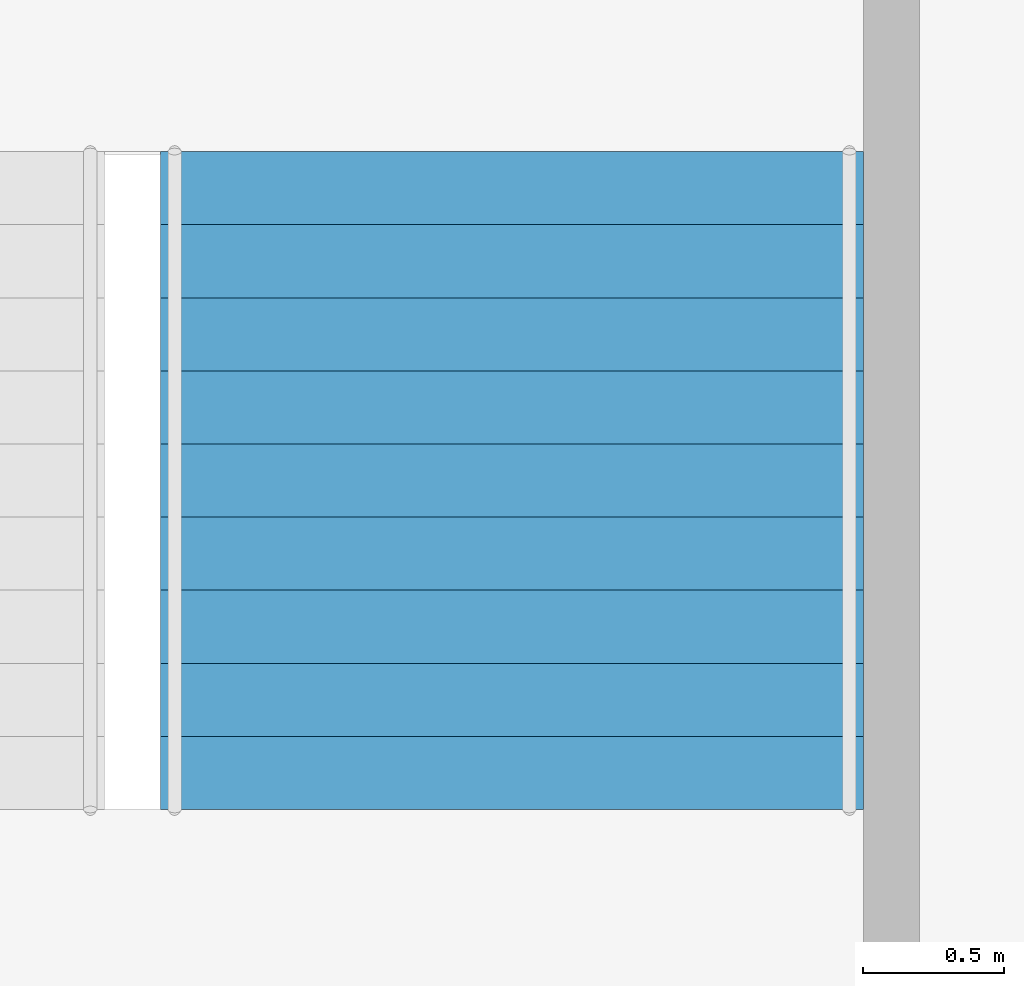
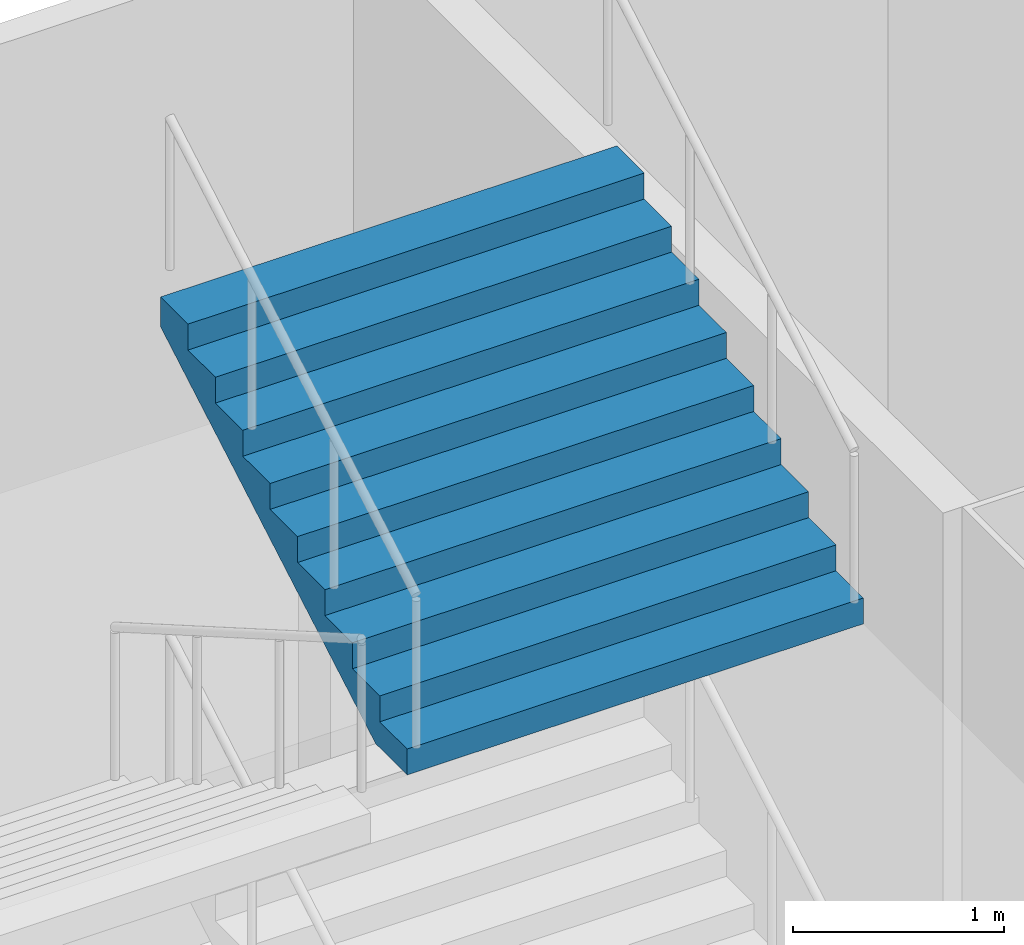
# One storey, part 73 of 100: 1 stair flight, 1 element without a shape of its own.
"""IFC4 building model written with IfcOpenShell, lengths in metres."""

from ifc_helpers import new_model, si_unit, direction, frame, origin, place, context, subcontext, project, spatial, triangles, material, type_object, element, aggregate, save


model = new_model("IFC4")

# Units and contexts
model_context = context("Model", 3, precision=1e-05, world=origin(), true_north=direction((0.0, 1.0)))
body_context = subcontext(model_context, "Body", "Model", "MODEL_VIEW")
ifc_project = project(units=[si_unit("LENGTHUNIT", "METRE"), si_unit("AREAUNIT", "SQUARE_METRE"), si_unit("VOLUMEUNIT", "CUBIC_METRE"), si_unit("PLANEANGLEUNIT", "RADIAN"), si_unit("MASSUNIT", "GRAM", prefix="KILO")], contexts=[model_context])

# Site, building, storey
site_placement = place(None, origin())
site = spatial("IfcSite", under=ifc_project, at=site_placement, CompositionType="ELEMENT")
building_placement = place(site_placement, origin())
building = spatial("IfcBuilding", under=site, at=building_placement, Name="Hakoniwa Tower and Hamabe Station Hall", CompositionType="ELEMENT")
storey_placement = place(building_placement, frame((0.0, 0.0, 9.0)))
storey = spatial("IfcBuildingStorey", under=building, at=storey_placement, Name="L02", CompositionType="ELEMENT", Elevation=9.0)

# Stair, stair flight
ifc_material_1 = material(Name="Concrete C40", Category="concrete")
stair_type = type_object("IfcStairType", Name="STAIR 2500 10X150", PredefinedType="HALF_TURN_STAIR", material=ifc_material_1)
stair_placement = place(storey_placement, origin())
stair = element("IfcStair", 1, at=stair_placement, inside=storey, type_object=stair_type, Name="Escape stair PS2", PredefinedType="HALF_TURN_STAIR")
ifc_material_2 = material(Name="Concrete C40", Category="concrete")
stair_flight_type = type_object("IfcStairFlightType", Name="STAIR FLIGHT 2500", PredefinedType="STRAIGHT", material=ifc_material_2)
stair_flight_placement = place(storey_placement, frame((47.800048828125, 20.010009765625, 4.5), z_axis=(0.0, 0.0, 1.0), x_axis=(0.0, 1.0, 0.0)))
stair_flight = element("IfcStairFlight", 2, at=stair_flight_placement, type_object=stair_flight_type, Name="PS2 flight 4", NumberOfRisers=10, NumberOfTreads=9, PredefinedType="STRAIGHT", RiserHeight=0.15, TreadLength=0.26, context=body_context, shape_type="Tessellation", body=[
    triangles([(0.0, 1.25, 0.0), (0.260009765625, 1.25, 0.0), (0.300048828125, 1.25, 0.0), (0.52001953125, 1.25, 0.126953125), (0.780029296875, 1.25, 0.27685546875), (1.0400390625, 1.25, 0.427001953125), (1.300048828125, 1.25, 0.576904296875), (1.56005859375, 1.25, 0.72705078125), (1.820068359375, 1.25, 0.876953125), (2.080078125, 1.25, 1.02685546875), (2.340087890625, 1.25, 1.177001953125), (2.340087890625, 1.25, 1.35009765625), (2.080078125, 1.25, 1.35009765625), (2.080078125, 1.25, 1.199951171875), (1.820068359375, 1.25, 1.199951171875), (1.820068359375, 1.25, 1.050048828125), (1.56005859375, 1.25, 1.050048828125), (1.56005859375, 1.25, 0.89990234375), (1.300048828125, 1.25, 0.89990234375), (1.300048828125, 1.25, 0.75), (1.0400390625, 1.25, 0.75), (1.0400390625, 1.25, 0.60009765625), (0.780029296875, 1.25, 0.60009765625), (0.780029296875, 1.25, 0.449951171875), (0.52001953125, 1.25, 0.449951171875), (0.52001953125, 1.25, 0.300048828125), (0.300048828125, 1.25, 0.300048828125), (0.260009765625, 1.25, 0.300048828125), (0.260009765625, 1.25, 0.14990234375), (0.0, 1.25, 0.14990234375), (0.0, 0.06005859375, 0.0), (0.260009765625, 0.06005859375, 0.0), (0.300048828125, 0.06005859375, 0.0), (0.52001953125, 0.06005859375, 0.126953125), (0.780029296875, 0.06005859375, 0.27685546875), (1.0400390625, 0.06005859375, 0.427001953125), (1.300048828125, 0.06005859375, 0.576904296875), (1.56005859375, 0.06005859375, 0.72705078125), (1.820068359375, 0.06005859375, 0.876953125), (2.080078125, 0.06005859375, 1.02685546875), (2.340087890625, 0.06005859375, 1.177001953125), (2.340087890625, 0.06005859375, 1.35009765625), (2.080078125, 0.06005859375, 1.35009765625), (2.080078125, 0.06005859375, 1.199951171875), (1.820068359375, 0.06005859375, 1.199951171875), (1.820068359375, 0.06005859375, 1.050048828125), (1.56005859375, 0.06005859375, 1.050048828125), (1.56005859375, 0.06005859375, 0.89990234375), (1.300048828125, 0.06005859375, 0.89990234375), (1.300048828125, 0.06005859375, 0.75), (1.0400390625, 0.06005859375, 0.75), (1.0400390625, 0.06005859375, 0.60009765625), (0.780029296875, 0.06005859375, 0.60009765625), (0.780029296875, 0.06005859375, 0.449951171875), (0.52001953125, 0.06005859375, 0.449951171875), (0.52001953125, 0.06005859375, 0.300048828125), (0.300048828125, 0.06005859375, 0.300048828125), (0.260009765625, 0.06005859375, 0.300048828125), (0.260009765625, 0.06005859375, 0.14990234375), (0.0, 0.06005859375, 0.14990234375), (0.0, 0.049072265625, 0.0), (0.260009765625, 0.049072265625, 0.0), (0.300048828125, 0.049072265625, 0.0), (0.52001953125, 0.049072265625, 0.126953125), (0.780029296875, 0.049072265625, 0.27685546875), (1.0400390625, 0.049072265625, 0.427001953125), (1.300048828125, 0.049072265625, 0.576904296875), (1.56005859375, 0.049072265625, 0.72705078125), (1.820068359375, 0.049072265625, 0.876953125), (2.080078125, 0.049072265625, 1.02685546875), (2.340087890625, 0.049072265625, 1.177001953125), (2.340087890625, 0.049072265625, 1.35009765625), (2.080078125, 0.049072265625, 1.35009765625), (2.080078125, 0.049072265625, 1.199951171875), (1.820068359375, 0.049072265625, 1.199951171875), (1.820068359375, 0.049072265625, 1.050048828125), (1.56005859375, 0.049072265625, 1.050048828125), (1.56005859375, 0.049072265625, 0.89990234375), (1.300048828125, 0.049072265625, 0.89990234375), (1.300048828125, 0.049072265625, 0.75), (1.0400390625, 0.049072265625, 0.75), (1.0400390625, 0.049072265625, 0.60009765625), (0.780029296875, 0.049072265625, 0.60009765625), (0.780029296875, 0.049072265625, 0.449951171875), (0.52001953125, 0.049072265625, 0.449951171875), (0.52001953125, 0.049072265625, 0.300048828125), (0.300048828125, 0.049072265625, 0.300048828125), (0.260009765625, 0.049072265625, 0.300048828125), (0.260009765625, 0.049072265625, 0.14990234375), (0.0, 0.049072265625, 0.14990234375), (0.0, 0.0380859375, 0.0), (0.260009765625, 0.0380859375, 0.0), (0.300048828125, 0.0380859375, 0.0), (0.52001953125, 0.0380859375, 0.126953125), (0.780029296875, 0.0380859375, 0.27685546875), (1.0400390625, 0.0380859375, 0.427001953125), (1.300048828125, 0.0380859375, 0.576904296875), (1.56005859375, 0.0380859375, 0.72705078125), (1.820068359375, 0.0380859375, 0.876953125), (2.080078125, 0.0380859375, 1.02685546875), (2.340087890625, 0.0380859375, 1.177001953125), (2.340087890625, 0.0380859375, 1.35009765625), (2.080078125, 0.0380859375, 1.35009765625), (2.080078125, 0.0380859375, 1.199951171875), (1.820068359375, 0.0380859375, 1.199951171875), (1.820068359375, 0.0380859375, 1.050048828125), (1.56005859375, 0.0380859375, 1.050048828125), (1.56005859375, 0.0380859375, 0.89990234375), (1.300048828125, 0.0380859375, 0.89990234375), (1.300048828125, 0.0380859375, 0.75), (1.0400390625, 0.0380859375, 0.75), (1.0400390625, 0.0380859375, 0.60009765625), (0.780029296875, 0.0380859375, 0.60009765625), (0.780029296875, 0.0380859375, 0.449951171875), (0.52001953125, 0.0380859375, 0.449951171875), (0.52001953125, 0.0380859375, 0.300048828125), (0.300048828125, 0.0380859375, 0.300048828125), (0.260009765625, 0.0380859375, 0.300048828125), (0.260009765625, 0.0380859375, 0.14990234375), (0.0, 0.0380859375, 0.14990234375), (0.0, 0.02734375, 0.0), (0.260009765625, 0.02734375, 0.0), (0.300048828125, 0.02734375, 0.0), (0.52001953125, 0.02734375, 0.126953125), (0.780029296875, 0.02734375, 0.27685546875), (1.0400390625, 0.02734375, 0.427001953125), (1.300048828125, 0.02734375, 0.576904296875), (1.56005859375, 0.02734375, 0.72705078125), (1.820068359375, 0.02734375, 0.876953125), (2.080078125, 0.02734375, 1.02685546875), (2.340087890625, 0.02734375, 1.177001953125), (2.340087890625, 0.02734375, 1.35009765625), (2.080078125, 0.02734375, 1.35009765625), (2.080078125, 0.02734375, 1.199951171875), (1.820068359375, 0.02734375, 1.199951171875), (1.820068359375, 0.02734375, 1.050048828125), (1.56005859375, 0.02734375, 1.050048828125), (1.56005859375, 0.02734375, 0.89990234375), (1.300048828125, 0.02734375, 0.89990234375), (1.300048828125, 0.02734375, 0.75), (1.0400390625, 0.02734375, 0.75), (1.0400390625, 0.02734375, 0.60009765625), (0.780029296875, 0.02734375, 0.60009765625), (0.780029296875, 0.02734375, 0.449951171875), (0.52001953125, 0.02734375, 0.449951171875), (0.52001953125, 0.02734375, 0.300048828125), (0.300048828125, 0.02734375, 0.300048828125), (0.260009765625, 0.02734375, 0.300048828125), (0.260009765625, 0.02734375, 0.14990234375), (0.0, 0.02734375, 0.14990234375), (0.0, 0.016357421875, 0.0), (0.260009765625, 0.016357421875, 0.0), (0.300048828125, 0.016357421875, 0.0), (0.52001953125, 0.016357421875, 0.126953125), (0.780029296875, 0.016357421875, 0.27685546875), (1.0400390625, 0.016357421875, 0.427001953125), (1.300048828125, 0.016357421875, 0.576904296875), (1.56005859375, 0.016357421875, 0.72705078125), (1.820068359375, 0.016357421875, 0.876953125), (2.080078125, 0.016357421875, 1.02685546875), (2.340087890625, 0.016357421875, 1.177001953125), (2.340087890625, 0.016357421875, 1.35009765625), (2.080078125, 0.016357421875, 1.35009765625), (2.080078125, 0.016357421875, 1.199951171875), (1.820068359375, 0.016357421875, 1.199951171875), (1.820068359375, 0.016357421875, 1.050048828125), (1.56005859375, 0.016357421875, 1.050048828125), (1.56005859375, 0.016357421875, 0.89990234375), (1.300048828125, 0.016357421875, 0.89990234375), (1.300048828125, 0.016357421875, 0.75), (1.0400390625, 0.016357421875, 0.75), (1.0400390625, 0.016357421875, 0.60009765625), (0.780029296875, 0.016357421875, 0.60009765625), (0.780029296875, 0.016357421875, 0.449951171875), (0.52001953125, 0.016357421875, 0.449951171875), (0.52001953125, 0.016357421875, 0.300048828125), (0.300048828125, 0.016357421875, 0.300048828125), (0.260009765625, 0.016357421875, 0.300048828125), (0.260009765625, 0.016357421875, 0.14990234375), (0.0, 0.016357421875, 0.14990234375), (0.0, 0.00537109375, 0.0), (0.260009765625, 0.00537109375, 0.0), (0.300048828125, 0.00537109375, 0.0), (0.52001953125, 0.00537109375, 0.126953125), (0.780029296875, 0.00537109375, 0.27685546875), (1.0400390625, 0.00537109375, 0.427001953125), (1.300048828125, 0.00537109375, 0.576904296875), (1.56005859375, 0.00537109375, 0.72705078125), (1.820068359375, 0.00537109375, 0.876953125), (2.080078125, 0.00537109375, 1.02685546875), (2.340087890625, 0.00537109375, 1.177001953125), (2.340087890625, 0.00537109375, 1.35009765625), (2.080078125, 0.00537109375, 1.35009765625), (2.080078125, 0.00537109375, 1.199951171875), (1.820068359375, 0.00537109375, 1.199951171875), (1.820068359375, 0.00537109375, 1.050048828125), (1.56005859375, 0.00537109375, 1.050048828125), (1.56005859375, 0.00537109375, 0.89990234375), (1.300048828125, 0.00537109375, 0.89990234375), (1.300048828125, 0.00537109375, 0.75), (1.0400390625, 0.00537109375, 0.75), (1.0400390625, 0.00537109375, 0.60009765625), (0.780029296875, 0.00537109375, 0.60009765625), (0.780029296875, 0.00537109375, 0.449951171875), (0.52001953125, 0.00537109375, 0.449951171875), (0.52001953125, 0.00537109375, 0.300048828125), (0.300048828125, 0.00537109375, 0.300048828125), (0.260009765625, 0.00537109375, 0.300048828125), (0.260009765625, 0.00537109375, 0.14990234375), (0.0, 0.00537109375, 0.14990234375), (0.0, -0.00537109375, 0.0), (0.260009765625, -0.00537109375, 0.0), (0.300048828125, -0.00537109375, 0.0), (0.52001953125, -0.00537109375, 0.126953125), (0.780029296875, -0.00537109375, 0.27685546875), (1.0400390625, -0.00537109375, 0.427001953125), (1.300048828125, -0.00537109375, 0.576904296875), (1.56005859375, -0.00537109375, 0.72705078125), (1.820068359375, -0.00537109375, 0.876953125), (2.080078125, -0.00537109375, 1.02685546875), (2.340087890625, -0.00537109375, 1.177001953125), (2.340087890625, -0.00537109375, 1.35009765625), (2.080078125, -0.00537109375, 1.35009765625), (2.080078125, -0.00537109375, 1.199951171875), (1.820068359375, -0.00537109375, 1.199951171875), (1.820068359375, -0.00537109375, 1.050048828125), (1.56005859375, -0.00537109375, 1.050048828125), (1.56005859375, -0.00537109375, 0.89990234375), (1.300048828125, -0.00537109375, 0.89990234375), (1.300048828125, -0.00537109375, 0.75), (1.0400390625, -0.00537109375, 0.75), (1.0400390625, -0.00537109375, 0.60009765625), (0.780029296875, -0.00537109375, 0.60009765625), (0.780029296875, -0.00537109375, 0.449951171875), (0.52001953125, -0.00537109375, 0.449951171875), (0.52001953125, -0.00537109375, 0.300048828125), (0.300048828125, -0.00537109375, 0.300048828125), (0.260009765625, -0.00537109375, 0.300048828125), (0.260009765625, -0.00537109375, 0.14990234375), (0.0, -0.00537109375, 0.14990234375), (0.0, -0.016357421875, 0.0), (0.260009765625, -0.016357421875, 0.0), (0.300048828125, -0.016357421875, 0.0), (0.52001953125, -0.016357421875, 0.126953125), (0.780029296875, -0.016357421875, 0.27685546875), (1.0400390625, -0.016357421875, 0.427001953125), (1.300048828125, -0.016357421875, 0.576904296875), (1.56005859375, -0.016357421875, 0.72705078125), (1.820068359375, -0.016357421875, 0.876953125), (2.080078125, -0.016357421875, 1.02685546875), (2.340087890625, -0.016357421875, 1.177001953125), (2.340087890625, -0.016357421875, 1.35009765625), (2.080078125, -0.016357421875, 1.35009765625), (2.080078125, -0.016357421875, 1.199951171875), (1.820068359375, -0.016357421875, 1.199951171875), (1.820068359375, -0.016357421875, 1.050048828125), (1.56005859375, -0.016357421875, 1.050048828125), (1.56005859375, -0.016357421875, 0.89990234375), (1.300048828125, -0.016357421875, 0.89990234375), (1.300048828125, -0.016357421875, 0.75), (1.0400390625, -0.016357421875, 0.75), (1.0400390625, -0.016357421875, 0.60009765625), (0.780029296875, -0.016357421875, 0.60009765625), (0.780029296875, -0.016357421875, 0.449951171875), (0.52001953125, -0.016357421875, 0.449951171875), (0.52001953125, -0.016357421875, 0.300048828125), (0.300048828125, -0.016357421875, 0.300048828125), (0.260009765625, -0.016357421875, 0.300048828125), (0.260009765625, -0.016357421875, 0.14990234375), (0.0, -0.016357421875, 0.14990234375), (0.0, -0.02734375, 0.0), (0.260009765625, -0.02734375, 0.0), (0.300048828125, -0.02734375, 0.0), (0.52001953125, -0.02734375, 0.126953125), (0.780029296875, -0.02734375, 0.27685546875), (1.0400390625, -0.02734375, 0.427001953125), (1.300048828125, -0.02734375, 0.576904296875), (1.56005859375, -0.02734375, 0.72705078125), (1.820068359375, -0.02734375, 0.876953125), (2.080078125, -0.02734375, 1.02685546875), (2.340087890625, -0.02734375, 1.177001953125), (2.340087890625, -0.02734375, 1.35009765625), (2.080078125, -0.02734375, 1.35009765625), (2.080078125, -0.02734375, 1.199951171875), (1.820068359375, -0.02734375, 1.199951171875), (1.820068359375, -0.02734375, 1.050048828125), (1.56005859375, -0.02734375, 1.050048828125), (1.56005859375, -0.02734375, 0.89990234375), (1.300048828125, -0.02734375, 0.89990234375), (1.300048828125, -0.02734375, 0.75), (1.0400390625, -0.02734375, 0.75), (1.0400390625, -0.02734375, 0.60009765625), (0.780029296875, -0.02734375, 0.60009765625), (0.780029296875, -0.02734375, 0.449951171875), (0.52001953125, -0.02734375, 0.449951171875), (0.52001953125, -0.02734375, 0.300048828125), (0.300048828125, -0.02734375, 0.300048828125), (0.260009765625, -0.02734375, 0.300048828125), (0.260009765625, -0.02734375, 0.14990234375), (0.0, -0.02734375, 0.14990234375), (0.0, -0.0380859375, 0.0), (0.260009765625, -0.0380859375, 0.0), (0.300048828125, -0.0380859375, 0.0), (0.52001953125, -0.0380859375, 0.126953125), (0.780029296875, -0.0380859375, 0.27685546875), (1.0400390625, -0.0380859375, 0.427001953125), (1.300048828125, -0.0380859375, 0.576904296875), (1.56005859375, -0.0380859375, 0.72705078125), (1.820068359375, -0.0380859375, 0.876953125), (2.080078125, -0.0380859375, 1.02685546875), (2.340087890625, -0.0380859375, 1.177001953125), (2.340087890625, -0.0380859375, 1.35009765625), (2.080078125, -0.0380859375, 1.35009765625), (2.080078125, -0.0380859375, 1.199951171875), (1.820068359375, -0.0380859375, 1.199951171875), (1.820068359375, -0.0380859375, 1.050048828125), (1.56005859375, -0.0380859375, 1.050048828125), (1.56005859375, -0.0380859375, 0.89990234375), (1.300048828125, -0.0380859375, 0.89990234375), (1.300048828125, -0.0380859375, 0.75), (1.0400390625, -0.0380859375, 0.75), (1.0400390625, -0.0380859375, 0.60009765625), (0.780029296875, -0.0380859375, 0.60009765625), (0.780029296875, -0.0380859375, 0.449951171875), (0.52001953125, -0.0380859375, 0.449951171875), (0.52001953125, -0.0380859375, 0.300048828125), (0.300048828125, -0.0380859375, 0.300048828125), (0.260009765625, -0.0380859375, 0.300048828125), (0.260009765625, -0.0380859375, 0.14990234375), (0.0, -0.0380859375, 0.14990234375), (0.0, -0.049072265625, 0.0), (0.260009765625, -0.049072265625, 0.0), (0.300048828125, -0.049072265625, 0.0), (0.52001953125, -0.049072265625, 0.126953125), (0.780029296875, -0.049072265625, 0.27685546875), (1.0400390625, -0.049072265625, 0.427001953125), (1.300048828125, -0.049072265625, 0.576904296875), (1.56005859375, -0.049072265625, 0.72705078125), (1.820068359375, -0.049072265625, 0.876953125), (2.080078125, -0.049072265625, 1.02685546875), (2.340087890625, -0.049072265625, 1.177001953125), (2.340087890625, -0.049072265625, 1.35009765625), (2.080078125, -0.049072265625, 1.35009765625), (2.080078125, -0.049072265625, 1.199951171875), (1.820068359375, -0.049072265625, 1.199951171875), (1.820068359375, -0.049072265625, 1.050048828125), (1.56005859375, -0.049072265625, 1.050048828125), (1.56005859375, -0.049072265625, 0.89990234375), (1.300048828125, -0.049072265625, 0.89990234375), (1.300048828125, -0.049072265625, 0.75), (1.0400390625, -0.049072265625, 0.75), (1.0400390625, -0.049072265625, 0.60009765625), (0.780029296875, -0.049072265625, 0.60009765625), (0.780029296875, -0.049072265625, 0.449951171875), (0.52001953125, -0.049072265625, 0.449951171875), (0.52001953125, -0.049072265625, 0.300048828125), (0.300048828125, -0.049072265625, 0.300048828125), (0.260009765625, -0.049072265625, 0.300048828125), (0.260009765625, -0.049072265625, 0.14990234375), (0.0, -0.049072265625, 0.14990234375), (0.0, -0.06005859375, 0.0), (0.260009765625, -0.06005859375, 0.0), (0.300048828125, -0.06005859375, 0.0), (0.52001953125, -0.06005859375, 0.126953125), (0.780029296875, -0.06005859375, 0.27685546875), (1.0400390625, -0.06005859375, 0.427001953125), (1.300048828125, -0.06005859375, 0.576904296875), (1.56005859375, -0.06005859375, 0.72705078125), (1.820068359375, -0.06005859375, 0.876953125), (2.080078125, -0.06005859375, 1.02685546875), (2.340087890625, -0.06005859375, 1.177001953125), (2.340087890625, -0.06005859375, 1.35009765625), (2.080078125, -0.06005859375, 1.35009765625), (2.080078125, -0.06005859375, 1.199951171875), (1.820068359375, -0.06005859375, 1.199951171875), (1.820068359375, -0.06005859375, 1.050048828125), (1.56005859375, -0.06005859375, 1.050048828125), (1.56005859375, -0.06005859375, 0.89990234375), (1.300048828125, -0.06005859375, 0.89990234375), (1.300048828125, -0.06005859375, 0.75), (1.0400390625, -0.06005859375, 0.75), (1.0400390625, -0.06005859375, 0.60009765625), (0.780029296875, -0.06005859375, 0.60009765625), (0.780029296875, -0.06005859375, 0.449951171875), (0.52001953125, -0.06005859375, 0.449951171875), (0.52001953125, -0.06005859375, 0.300048828125), (0.300048828125, -0.06005859375, 0.300048828125), (0.260009765625, -0.06005859375, 0.300048828125), (0.260009765625, -0.06005859375, 0.14990234375), (0.0, -0.06005859375, 0.14990234375), (0.0, -1.25, 0.0), (0.260009765625, -1.25, 0.0), (0.300048828125, -1.25, 0.0), (0.52001953125, -1.25, 0.126953125), (0.780029296875, -1.25, 0.27685546875), (1.0400390625, -1.25, 0.427001953125), (1.300048828125, -1.25, 0.576904296875), (1.56005859375, -1.25, 0.72705078125), (1.820068359375, -1.25, 0.876953125), (2.080078125, -1.25, 1.02685546875), (2.340087890625, -1.25, 1.177001953125), (2.340087890625, -1.25, 1.35009765625), (2.080078125, -1.25, 1.35009765625), (2.080078125, -1.25, 1.199951171875), (1.820068359375, -1.25, 1.199951171875), (1.820068359375, -1.25, 1.050048828125), (1.56005859375, -1.25, 1.050048828125), (1.56005859375, -1.25, 0.89990234375), (1.300048828125, -1.25, 0.89990234375), (1.300048828125, -1.25, 0.75), (1.0400390625, -1.25, 0.75), (1.0400390625, -1.25, 0.60009765625), (0.780029296875, -1.25, 0.60009765625), (0.780029296875, -1.25, 0.449951171875), (0.52001953125, -1.25, 0.449951171875), (0.52001953125, -1.25, 0.300048828125), (0.300048828125, -1.25, 0.300048828125), (0.260009765625, -1.25, 0.300048828125), (0.260009765625, -1.25, 0.14990234375), (0.0, -1.25, 0.14990234375)], [[2, 30, 29], [392, 419, 420], [2, 1, 30], [392, 420, 391], [3, 28, 27], [393, 417, 418], [3, 29, 28], [393, 418, 419], [3, 2, 29], [393, 419, 392], [4, 27, 26], [394, 416, 417], [4, 3, 27], [394, 417, 393], [5, 25, 24], [395, 414, 415], [5, 26, 25], [395, 415, 416], [5, 4, 26], [395, 416, 394], [6, 23, 22], [396, 412, 413], [6, 24, 23], [396, 413, 414], [6, 5, 24], [396, 414, 395], [7, 21, 20], [397, 410, 411], [7, 22, 21], [397, 411, 412], [7, 6, 22], [397, 412, 396], [8, 19, 18], [398, 408, 409], [8, 20, 19], [398, 409, 410], [8, 7, 20], [398, 410, 397], [9, 17, 16], [399, 406, 407], [9, 18, 17], [399, 407, 408], [9, 8, 18], [399, 408, 398], [10, 15, 14], [400, 404, 405], [10, 16, 15], [400, 405, 406], [10, 9, 16], [400, 406, 399], [11, 13, 12], [401, 402, 403], [11, 14, 13], [401, 403, 404], [11, 10, 14], [401, 404, 400], [1, 2, 32], [1, 32, 31], [31, 32, 62], [31, 62, 61], [61, 62, 92], [61, 92, 91], [91, 92, 122], [91, 122, 121], [121, 122, 152], [121, 152, 151], [151, 152, 182], [151, 182, 181], [181, 182, 212], [181, 212, 211], [211, 212, 242], [211, 242, 241], [241, 242, 272], [241, 272, 271], [271, 272, 302], [271, 302, 301], [301, 302, 332], [301, 332, 331], [331, 332, 362], [331, 362, 361], [361, 362, 392], [361, 392, 391], [2, 3, 33], [2, 33, 32], [32, 33, 63], [32, 63, 62], [62, 63, 93], [62, 93, 92], [92, 93, 123], [92, 123, 122], [122, 123, 153], [122, 153, 152], [152, 153, 183], [152, 183, 182], [182, 183, 213], [182, 213, 212], [212, 213, 243], [212, 243, 242], [242, 243, 273], [242, 273, 272], [272, 273, 303], [272, 303, 302], [302, 303, 333], [302, 333, 332], [332, 333, 363], [332, 363, 362], [362, 363, 393], [362, 393, 392], [3, 4, 34], [3, 34, 33], [33, 34, 64], [33, 64, 63], [63, 64, 94], [63, 94, 93], [93, 94, 124], [93, 124, 123], [123, 124, 154], [123, 154, 153], [153, 154, 184], [153, 184, 183], [183, 184, 214], [183, 214, 213], [213, 214, 244], [213, 244, 243], [243, 244, 274], [243, 274, 273], [273, 274, 304], [273, 304, 303], [303, 304, 334], [303, 334, 333], [333, 334, 364], [333, 364, 363], [363, 364, 394], [363, 394, 393], [4, 5, 35], [4, 35, 34], [34, 35, 65], [34, 65, 64], [64, 65, 95], [64, 95, 94], [94, 95, 125], [94, 125, 124], [124, 125, 155], [124, 155, 154], [154, 155, 185], [154, 185, 184], [184, 185, 215], [184, 215, 214], [214, 215, 245], [214, 245, 244], [244, 245, 275], [244, 275, 274], [274, 275, 305], [274, 305, 304], [304, 305, 335], [304, 335, 334], [334, 335, 365], [334, 365, 364], [364, 365, 395], [364, 395, 394], [5, 6, 36], [5, 36, 35], [35, 36, 66], [35, 66, 65], [65, 66, 96], [65, 96, 95], [95, 96, 126], [95, 126, 125], [125, 126, 156], [125, 156, 155], [155, 156, 186], [155, 186, 185], [185, 186, 216], [185, 216, 215], [215, 216, 246], [215, 246, 245], [245, 246, 276], [245, 276, 275], [275, 276, 306], [275, 306, 305], [305, 306, 336], [305, 336, 335], [335, 336, 366], [335, 366, 365], [365, 366, 396], [365, 396, 395], [6, 7, 37], [6, 37, 36], [36, 37, 67], [36, 67, 66], [66, 67, 97], [66, 97, 96], [96, 97, 127], [96, 127, 126], [126, 127, 157], [126, 157, 156], [156, 157, 187], [156, 187, 186], [186, 187, 217], [186, 217, 216], [216, 217, 247], [216, 247, 246], [246, 247, 277], [246, 277, 276], [276, 277, 307], [276, 307, 306], [306, 307, 337], [306, 337, 336], [336, 337, 367], [336, 367, 366], [366, 367, 397], [366, 397, 396], [7, 8, 38], [7, 38, 37], [37, 38, 68], [37, 68, 67], [67, 68, 98], [67, 98, 97], [97, 98, 128], [97, 128, 127], [127, 128, 158], [127, 158, 157], [157, 158, 188], [157, 188, 187], [187, 188, 218], [187, 218, 217], [217, 218, 248], [217, 248, 247], [247, 248, 278], [247, 278, 277], [277, 278, 308], [277, 308, 307], [307, 308, 338], [307, 338, 337], [337, 338, 368], [337, 368, 367], [367, 368, 398], [367, 398, 397], [8, 9, 39], [8, 39, 38], [38, 39, 69], [38, 69, 68], [68, 69, 99], [68, 99, 98], [98, 99, 129], [98, 129, 128], [128, 129, 159], [128, 159, 158], [158, 159, 189], [158, 189, 188], [188, 189, 219], [188, 219, 218], [218, 219, 249], [218, 249, 248], [248, 249, 279], [248, 279, 278], [278, 279, 309], [278, 309, 308], [308, 309, 339], [308, 339, 338], [338, 339, 369], [338, 369, 368], [368, 369, 399], [368, 399, 398], [9, 10, 40], [9, 40, 39], [39, 40, 70], [39, 70, 69], [69, 70, 100], [69, 100, 99], [99, 100, 130], [99, 130, 129], [129, 130, 160], [129, 160, 159], [159, 160, 190], [159, 190, 189], [189, 190, 220], [189, 220, 219], [219, 220, 250], [219, 250, 249], [249, 250, 280], [249, 280, 279], [279, 280, 310], [279, 310, 309], [309, 310, 340], [309, 340, 339], [339, 340, 370], [339, 370, 369], [369, 370, 400], [369, 400, 399], [10, 11, 41], [10, 41, 40], [40, 41, 71], [40, 71, 70], [70, 71, 101], [70, 101, 100], [100, 101, 131], [100, 131, 130], [130, 131, 161], [130, 161, 160], [160, 161, 191], [160, 191, 190], [190, 191, 221], [190, 221, 220], [220, 221, 251], [220, 251, 250], [250, 251, 281], [250, 281, 280], [280, 281, 311], [280, 311, 310], [310, 311, 341], [310, 341, 340], [340, 341, 371], [340, 371, 370], [370, 371, 401], [370, 401, 400], [11, 12, 42], [11, 42, 41], [41, 42, 72], [41, 72, 71], [71, 72, 102], [71, 102, 101], [101, 102, 132], [101, 132, 131], [131, 132, 162], [131, 162, 161], [161, 162, 192], [161, 192, 191], [191, 192, 222], [191, 222, 221], [221, 222, 252], [221, 252, 251], [251, 252, 282], [251, 282, 281], [281, 282, 312], [281, 312, 311], [311, 312, 342], [311, 342, 341], [341, 342, 372], [341, 372, 371], [371, 372, 402], [371, 402, 401], [12, 13, 43], [12, 43, 42], [42, 43, 73], [42, 73, 72], [72, 73, 103], [72, 103, 102], [102, 103, 133], [102, 133, 132], [132, 133, 163], [132, 163, 162], [162, 163, 193], [162, 193, 192], [192, 193, 223], [192, 223, 222], [222, 223, 253], [222, 253, 252], [252, 253, 283], [252, 283, 282], [282, 283, 313], [282, 313, 312], [312, 313, 343], [312, 343, 342], [342, 343, 373], [342, 373, 372], [372, 373, 403], [372, 403, 402], [13, 14, 44], [13, 44, 43], [43, 44, 74], [43, 74, 73], [73, 74, 104], [73, 104, 103], [103, 104, 134], [103, 134, 133], [133, 134, 164], [133, 164, 163], [163, 164, 194], [163, 194, 193], [193, 194, 224], [193, 224, 223], [223, 224, 254], [223, 254, 253], [253, 254, 284], [253, 284, 283], [283, 284, 314], [283, 314, 313], [313, 314, 344], [313, 344, 343], [343, 344, 374], [343, 374, 373], [373, 374, 404], [373, 404, 403], [14, 15, 45], [14, 45, 44], [44, 45, 75], [44, 75, 74], [74, 75, 105], [74, 105, 104], [104, 105, 135], [104, 135, 134], [134, 135, 165], [134, 165, 164], [164, 165, 195], [164, 195, 194], [194, 195, 225], [194, 225, 224], [224, 225, 255], [224, 255, 254], [254, 255, 285], [254, 285, 284], [284, 285, 315], [284, 315, 314], [314, 315, 345], [314, 345, 344], [344, 345, 375], [344, 375, 374], [374, 375, 405], [374, 405, 404], [15, 16, 46], [15, 46, 45], [45, 46, 76], [45, 76, 75], [75, 76, 106], [75, 106, 105], [105, 106, 136], [105, 136, 135], [135, 136, 166], [135, 166, 165], [165, 166, 196], [165, 196, 195], [195, 196, 226], [195, 226, 225], [225, 226, 256], [225, 256, 255], [255, 256, 286], [255, 286, 285], [285, 286, 316], [285, 316, 315], [315, 316, 346], [315, 346, 345], [345, 346, 376], [345, 376, 375], [375, 376, 406], [375, 406, 405], [16, 17, 47], [16, 47, 46], [46, 47, 77], [46, 77, 76], [76, 77, 107], [76, 107, 106], [106, 107, 137], [106, 137, 136], [136, 137, 167], [136, 167, 166], [166, 167, 197], [166, 197, 196], [196, 197, 227], [196, 227, 226], [226, 227, 257], [226, 257, 256], [256, 257, 287], [256, 287, 286], [286, 287, 317], [286, 317, 316], [316, 317, 347], [316, 347, 346], [346, 347, 377], [346, 377, 376], [376, 377, 407], [376, 407, 406], [17, 18, 48], [17, 48, 47], [47, 48, 78], [47, 78, 77], [77, 78, 108], [77, 108, 107], [107, 108, 138], [107, 138, 137], [137, 138, 168], [137, 168, 167], [167, 168, 198], [167, 198, 197], [197, 198, 228], [197, 228, 227], [227, 228, 258], [227, 258, 257], [257, 258, 288], [257, 288, 287], [287, 288, 318], [287, 318, 317], [317, 318, 348], [317, 348, 347], [347, 348, 378], [347, 378, 377], [377, 378, 408], [377, 408, 407], [18, 19, 49], [18, 49, 48], [48, 49, 79], [48, 79, 78], [78, 79, 109], [78, 109, 108], [108, 109, 139], [108, 139, 138], [138, 139, 169], [138, 169, 168], [168, 169, 199], [168, 199, 198], [198, 199, 229], [198, 229, 228], [228, 229, 259], [228, 259, 258], [258, 259, 289], [258, 289, 288], [288, 289, 319], [288, 319, 318], [318, 319, 349], [318, 349, 348], [348, 349, 379], [348, 379, 378], [378, 379, 409], [378, 409, 408], [19, 20, 50], [19, 50, 49], [49, 50, 80], [49, 80, 79], [79, 80, 110], [79, 110, 109], [109, 110, 140], [109, 140, 139], [139, 140, 170], [139, 170, 169], [169, 170, 200], [169, 200, 199], [199, 200, 230], [199, 230, 229], [229, 230, 260], [229, 260, 259], [259, 260, 290], [259, 290, 289], [289, 290, 320], [289, 320, 319], [319, 320, 350], [319, 350, 349], [349, 350, 380], [349, 380, 379], [379, 380, 410], [379, 410, 409], [20, 21, 51], [20, 51, 50], [50, 51, 81], [50, 81, 80], [80, 81, 111], [80, 111, 110], [110, 111, 141], [110, 141, 140], [140, 141, 171], [140, 171, 170], [170, 171, 201], [170, 201, 200], [200, 201, 231], [200, 231, 230], [230, 231, 261], [230, 261, 260], [260, 261, 291], [260, 291, 290], [290, 291, 321], [290, 321, 320], [320, 321, 351], [320, 351, 350], [350, 351, 381], [350, 381, 380], [380, 381, 411], [380, 411, 410], [21, 22, 52], [21, 52, 51], [51, 52, 82], [51, 82, 81], [81, 82, 112], [81, 112, 111], [111, 112, 142], [111, 142, 141], [141, 142, 172], [141, 172, 171], [171, 172, 202], [171, 202, 201], [201, 202, 232], [201, 232, 231], [231, 232, 262], [231, 262, 261], [261, 262, 292], [261, 292, 291], [291, 292, 322], [291, 322, 321], [321, 322, 352], [321, 352, 351], [351, 352, 382], [351, 382, 381], [381, 382, 412], [381, 412, 411], [22, 23, 53], [22, 53, 52], [52, 53, 83], [52, 83, 82], [82, 83, 113], [82, 113, 112], [112, 113, 143], [112, 143, 142], [142, 143, 173], [142, 173, 172], [172, 173, 203], [172, 203, 202], [202, 203, 233], [202, 233, 232], [232, 233, 263], [232, 263, 262], [262, 263, 293], [262, 293, 292], [292, 293, 323], [292, 323, 322], [322, 323, 353], [322, 353, 352], [352, 353, 383], [352, 383, 382], [382, 383, 413], [382, 413, 412], [23, 24, 54], [23, 54, 53], [53, 54, 84], [53, 84, 83], [83, 84, 114], [83, 114, 113], [113, 114, 144], [113, 144, 143], [143, 144, 174], [143, 174, 173], [173, 174, 204], [173, 204, 203], [203, 204, 234], [203, 234, 233], [233, 234, 264], [233, 264, 263], [263, 264, 294], [263, 294, 293], [293, 294, 324], [293, 324, 323], [323, 324, 354], [323, 354, 353], [353, 354, 384], [353, 384, 383], [383, 384, 414], [383, 414, 413], [24, 25, 55], [24, 55, 54], [54, 55, 85], [54, 85, 84], [84, 85, 115], [84, 115, 114], [114, 115, 145], [114, 145, 144], [144, 145, 175], [144, 175, 174], [174, 175, 205], [174, 205, 204], [204, 205, 235], [204, 235, 234], [234, 235, 265], [234, 265, 264], [264, 265, 295], [264, 295, 294], [294, 295, 325], [294, 325, 324], [324, 325, 355], [324, 355, 354], [354, 355, 385], [354, 385, 384], [384, 385, 415], [384, 415, 414], [25, 26, 56], [25, 56, 55], [55, 56, 86], [55, 86, 85], [85, 86, 116], [85, 116, 115], [115, 116, 146], [115, 146, 145], [145, 146, 176], [145, 176, 175], [175, 176, 206], [175, 206, 205], [205, 206, 236], [205, 236, 235], [235, 236, 266], [235, 266, 265], [265, 266, 296], [265, 296, 295], [295, 296, 326], [295, 326, 325], [325, 326, 356], [325, 356, 355], [355, 356, 386], [355, 386, 385], [385, 386, 416], [385, 416, 415], [26, 27, 57], [26, 57, 56], [56, 57, 87], [56, 87, 86], [86, 87, 117], [86, 117, 116], [116, 117, 147], [116, 147, 146], [146, 147, 177], [146, 177, 176], [176, 177, 207], [176, 207, 206], [206, 207, 237], [206, 237, 236], [236, 237, 267], [236, 267, 266], [266, 267, 297], [266, 297, 296], [296, 297, 327], [296, 327, 326], [326, 327, 357], [326, 357, 356], [356, 357, 387], [356, 387, 386], [386, 387, 417], [386, 417, 416], [27, 28, 58], [27, 58, 57], [57, 58, 88], [57, 88, 87], [87, 88, 118], [87, 118, 117], [117, 118, 148], [117, 148, 147], [147, 148, 178], [147, 178, 177], [177, 178, 208], [177, 208, 207], [207, 208, 238], [207, 238, 237], [237, 238, 268], [237, 268, 267], [267, 268, 298], [267, 298, 297], [297, 298, 328], [297, 328, 327], [327, 328, 358], [327, 358, 357], [357, 358, 388], [357, 388, 387], [387, 388, 418], [387, 418, 417], [28, 29, 59], [28, 59, 58], [58, 59, 89], [58, 89, 88], [88, 89, 119], [88, 119, 118], [118, 119, 149], [118, 149, 148], [148, 149, 179], [148, 179, 178], [178, 179, 209], [178, 209, 208], [208, 209, 239], [208, 239, 238], [238, 239, 269], [238, 269, 268], [268, 269, 299], [268, 299, 298], [298, 299, 329], [298, 329, 328], [328, 329, 359], [328, 359, 358], [358, 359, 389], [358, 389, 388], [388, 389, 419], [388, 419, 418], [29, 30, 60], [29, 60, 59], [59, 60, 90], [59, 90, 89], [89, 90, 120], [89, 120, 119], [119, 120, 150], [119, 150, 149], [149, 150, 180], [149, 180, 179], [179, 180, 210], [179, 210, 209], [209, 210, 240], [209, 240, 239], [239, 240, 270], [239, 270, 269], [269, 270, 300], [269, 300, 299], [299, 300, 330], [299, 330, 329], [329, 330, 360], [329, 360, 359], [359, 360, 390], [359, 390, 389], [389, 390, 420], [389, 420, 419], [30, 1, 31], [30, 31, 60], [60, 31, 61], [60, 61, 90], [90, 61, 91], [90, 91, 120], [120, 91, 121], [120, 121, 150], [150, 121, 151], [150, 151, 180], [180, 151, 181], [180, 181, 210], [210, 181, 211], [210, 211, 240], [240, 211, 241], [240, 241, 270], [270, 241, 271], [270, 271, 300], [300, 271, 301], [300, 301, 330], [330, 301, 331], [330, 331, 360], [360, 331, 361], [360, 361, 390], [390, 361, 391], [390, 391, 420]], closed=True),
])
aggregate(stair, [stair_flight])

save(model, "model.ifc")
